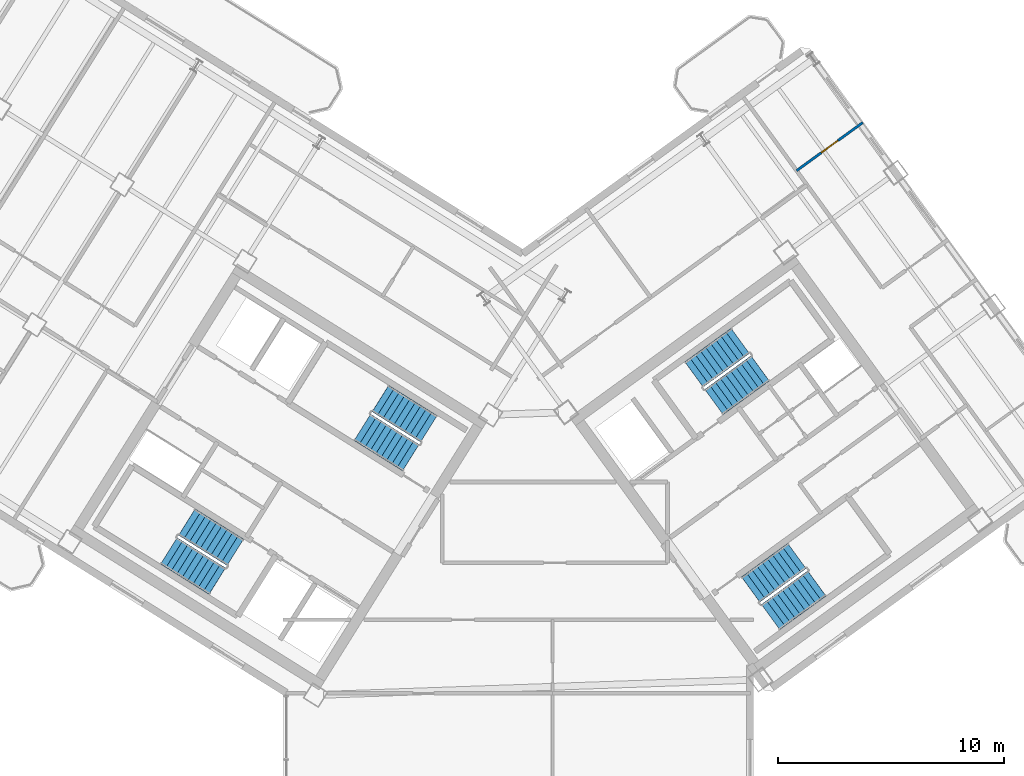
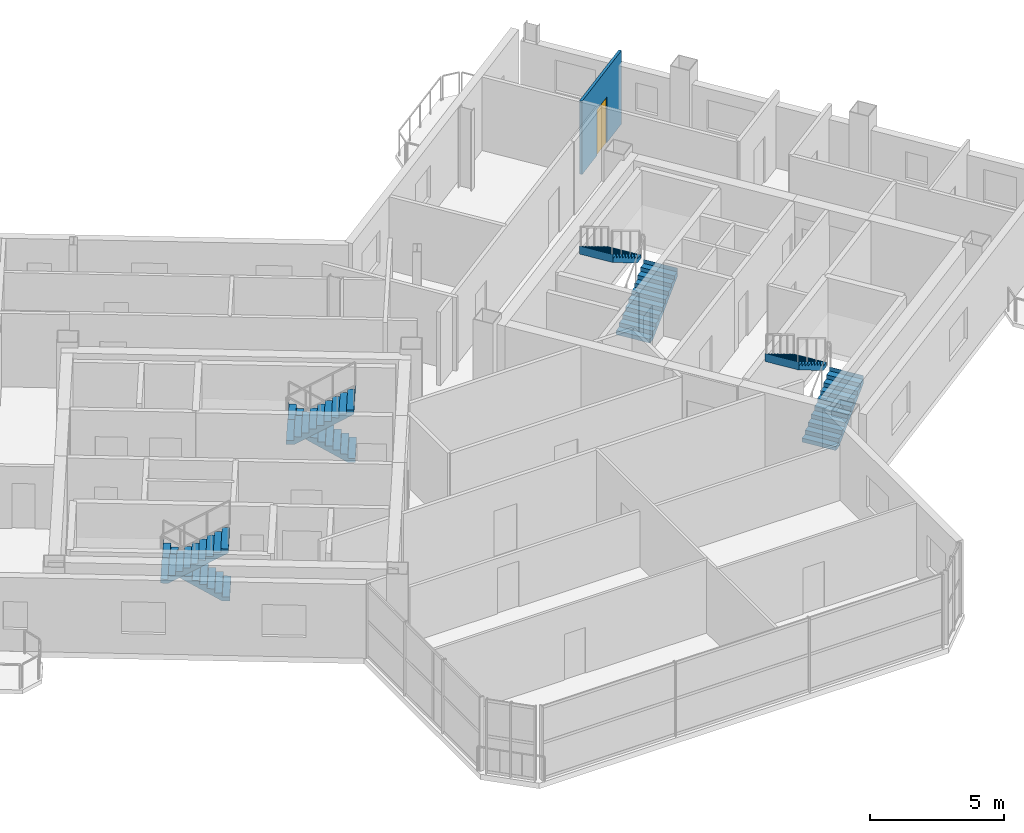
# One storey, part 16 of 20: 8 stair flights, 1 door, 1 wall, 1 opening, 4 elements without a shape of their own.
"""IFC4 building model written with IfcOpenShell, lengths in metres."""

from ifc_helpers import new_model, si_unit, direction, frame, frame_2d, origin, place, context, subcontext, project, spatial, polyline, rectangle, outline, extrude, source, transform, mapped, material, layer, layer_set, type_object, element, fill, aggregate, save


model = new_model("IFC4")

# Units and contexts
model_context = context("Model", 3, precision=1e-05, world=origin(), true_north=direction((0.0, 1.0)))
body_context = subcontext(model_context, "Body", "Model", "MODEL_VIEW")
ifc_project = project(units=[si_unit("LENGTHUNIT", "METRE"), si_unit("AREAUNIT", "SQUARE_METRE"), si_unit("VOLUMEUNIT", "CUBIC_METRE"), si_unit("PLANEANGLEUNIT", "RADIAN"), si_unit("MASSUNIT", "GRAM", prefix="KILO")], contexts=[model_context])

# Site, building, storey
site_placement = place(None, origin())
site = spatial("IfcSite", under=ifc_project, at=site_placement, CompositionType="ELEMENT")
building_placement = place(site_placement, origin())
building = spatial("IfcBuilding", under=site, at=building_placement, Name="Tlacorven Tower", CompositionType="ELEMENT")
storey_placement = place(building_placement, frame((0.0, 0.0, 211.199951171875)))
storey = spatial("IfcBuildingStorey", under=building, at=storey_placement, Name="L53", CompositionType="ELEMENT", Elevation=211.199951171875)

# Wall, opening, door
ifc_material_1 = material(Name="Gypsum plasterboard partition", Category="gypsum")
ifc_layer = layer(ifc_material_1, 0.110107421875)
ifc_layer_set = layer_set([ifc_layer], Name="Gypsum plasterboard partition")
wall_type = type_object("IfcWallType", Name="WL-INT-110", PredefinedType="PARTITIONING", material=ifc_layer_set)
wall_placement = place(storey_placement, frame((54.3037109375, 35.25927734375, 0.0), z_axis=(0.0, 0.0, 1.0), x_axis=(0.809005039917, 0.58780170584, 0.0)))
wall = element("IfcWall", 1, at=wall_placement, inside=storey, type_object=wall_type, Name="L53 partition 82", PredefinedType="PARTITIONING", context=body_context, shape_type="SweptSolid", body=[
    extrude(rectangle(XDim=3.610107421875, YDim=0.110107421875, at=frame_2d((1.80517578125, 0.0))), origin(), (0.0, 0.0, 1.0), 3.340087890625),
])
opening_placement = place(wall_placement, frame((1.344970703125, 0.0, 0.0)))
opening = element("IfcOpeningElement", 2, at=opening_placement, cuts=wall, Name="Opening D12", PredefinedType="OPENING", context=body_context, shape_type="SweptSolid", body=[
    extrude(rectangle(XDim=0.919921875, YDim=2.080078125, at=frame_2d((0.4599609375, 1.0400390625))), frame((0.0, 0.06494140625, 0.0), z_axis=(0.0, -1.0, 0.0), x_axis=(1.0, 0.0, 0.0)), (0.0, 0.0, 1.0), 0.130126953125),
])
ifc_material_2 = material(Name="Powder-coated aluminium and timber door", Category="wood")
door_type = type_object("IfcDoorType", Name="DR-INT-ROOM-0920", OperationType="NOTDEFINED", PredefinedType="DOOR", material=ifc_material_2)
shared_shape_1 = source(origin(), body_context, "Body", "SweptSolid", [
    extrude(rectangle(XDim=0.919921875, YDim=2.080078125, at=frame_2d((0.4599609375, 1.0400390625))), frame((0.0, 0.02490234375, 0.0), z_axis=(0.0, -1.0, 0.0), x_axis=(1.0, 0.0, 0.0)), (0.0, 0.0, 1.0), 0.050048828125),
])
door_placement = place(opening_placement, origin())
door = element("IfcDoor", 3, at=door_placement, inside=storey, type_object=door_type, Name="L53 door 053", OperationType="SINGLE_SWING_LEFT", OverallHeight=2.080078125, OverallWidth=0.919921875, PredefinedType="DOOR", context=body_context, shape_type="MappedRepresentation", body=[
    mapped(shared_shape_1, transform((0.0, 0.0, 0.0), scale=1.0)),
])
fill(opening, door)

# Stair, stair flights
ifc_material_3 = material(Name="Concrete C40/50", Category="concrete")
stair_type = type_object("IfcStairType", Name="ST-CORE-DLG", PredefinedType="HALF_TURN_STAIR", material=ifc_material_3)
stair_1_placement = place(storey_placement, origin())
stair_1 = element("IfcStair", 4, at=stair_1_placement, inside=storey, type_object=stair_type, Name="L53 Protected Exit Stair West 1", PredefinedType="HALF_TURN_STAIR")
stair_flight_type = type_object("IfcStairFlightType", Name="SFL-RC-1380", PredefinedType="STRAIGHT", material=ifc_material_3)
shared_shape_2 = source(origin(), body_context, "Body", "SweptSolid", [
    extrude(outline(polyline([(-0.0029296875, -0.0029296875), (-0.0029296875, 0.179931640625), (0.280029296875, 0.179931640625), (0.280029296875, 0.360107421875), (0.56005859375, 0.360107421875), (0.56005859375, 0.5400390625), (0.840087890625, 0.5400390625), (0.840087890625, 0.719970703125), (1.1201171875, 0.719970703125), (1.1201171875, 0.89990234375), (1.39990234375, 0.89990234375), (1.39990234375, 1.080078125), (1.679931640625, 1.080078125), (1.679931640625, 1.260009765625), (1.9599609375, 1.260009765625), (1.9599609375, 1.43994140625), (2.239990234375, 1.43994140625), (2.239990234375, 1.6201171875), (2.52001953125, 1.6201171875), (2.52001953125, 1.800048828125), (2.52294921875, 1.800048828125), (2.52294921875, 1.429931640625), (2.52001953125, 1.429931640625), (0.295654296875, 0.0), (0.295654296875, -0.0029296875), (-0.0029296875, -0.0029296875)])), frame((0.0, 0.68994140625, 0.0), z_axis=(0.0, -1.0, 0.0), x_axis=(1.0, 0.0, 0.0)), (0.0, 0.0, 1.0), 1.3798828125),
])
stair_flight_1_placement = place(storey_placement, frame((29.499755859375, 18.39453125, 0.0), z_axis=(0.0, 0.0, 1.0), x_axis=(-0.848048096156, 0.529919264233, 0.0)))
stair_flight_1 = element("IfcStairFlight", 5, at=stair_flight_1_placement, type_object=stair_flight_type, Name="ST-W1 flight 1", NumberOfRisers=10, NumberOfTreads=9, PredefinedType="STRAIGHT", RiserHeight=0.18, TreadLength=0.28, context=body_context, shape_type="MappedRepresentation", body=[
    mapped(shared_shape_2, transform((0.0, 0.0, 0.0), scale=1.0)),
])
stair_flight_2_placement = place(storey_placement, frame((26.56787109375, 18.4580078125, 1.800048828125), z_axis=(0.0, 0.0, 1.0), x_axis=(0.848048096156, -0.529919264233, 0.0)))
stair_flight_2 = element("IfcStairFlight", 6, at=stair_flight_2_placement, type_object=stair_flight_type, Name="ST-W1 flight 2", NumberOfRisers=10, NumberOfTreads=9, PredefinedType="STRAIGHT", RiserHeight=0.18, TreadLength=0.28, context=body_context, shape_type="MappedRepresentation", body=[
    mapped(shared_shape_2, transform((0.0, 0.0, 0.0), scale=1.0)),
])
aggregate(stair_1, [stair_flight_1, stair_flight_2])

stair_2_placement = place(storey_placement, origin())
stair_2 = element("IfcStair", 7, at=stair_2_placement, inside=storey, type_object=stair_type, Name="L53 Protected Exit Stair West 2", PredefinedType="HALF_TURN_STAIR")
stair_flight_3_placement = place(storey_placement, frame((38.051513671875, 23.852294921875, 0.0), z_axis=(0.0, 0.0, 1.0), x_axis=(-0.848048096156, 0.529919264233, 0.0)))
stair_flight_3 = element("IfcStairFlight", 8, at=stair_flight_3_placement, type_object=stair_flight_type, Name="ST-W2 flight 1", NumberOfRisers=10, NumberOfTreads=9, PredefinedType="STRAIGHT", RiserHeight=0.18, TreadLength=0.28, context=body_context, shape_type="MappedRepresentation", body=[
    mapped(shared_shape_2, transform((0.0, 0.0, 0.0), scale=1.0)),
])
stair_flight_4_placement = place(storey_placement, frame((35.119384765625, 23.91552734375, 1.800048828125), z_axis=(0.0, 0.0, 1.0), x_axis=(0.848048096156, -0.529919264233, 0.0)))
stair_flight_4 = element("IfcStairFlight", 9, at=stair_flight_4_placement, type_object=stair_flight_type, Name="ST-W2 flight 2", NumberOfRisers=10, NumberOfTreads=9, PredefinedType="STRAIGHT", RiserHeight=0.18, TreadLength=0.28, context=body_context, shape_type="MappedRepresentation", body=[
    mapped(shared_shape_2, transform((0.0, 0.0, 0.0), scale=1.0)),
])
aggregate(stair_2, [stair_flight_3, stair_flight_4])

stair_3_placement = place(storey_placement, origin())
stair_3 = element("IfcStair", 10, at=stair_3_placement, inside=storey, type_object=stair_type, Name="L53 Protected Exit Stair East 1", PredefinedType="HALF_TURN_STAIR")
stair_flight_5_placement = place(storey_placement, frame((50.6533203125, 25.0400390625, 0.0), z_axis=(0.0, 0.0, 1.0), x_axis=(0.809016994375, 0.587785252292, 0.0)))
stair_flight_5 = element("IfcStairFlight", 11, at=stair_flight_5_placement, type_object=stair_flight_type, Name="ST-E1 flight 1", NumberOfRisers=10, NumberOfTreads=9, PredefinedType="STRAIGHT", RiserHeight=0.18, TreadLength=0.28, context=body_context, shape_type="MappedRepresentation", body=[
    mapped(shared_shape_2, transform((0.0, 0.0, 0.0), scale=1.0)),
])
stair_flight_6_placement = place(storey_placement, frame((51.810546875, 27.734619140625, 1.800048828125), z_axis=(0.0, 0.0, 1.0), x_axis=(-0.809016994375, -0.587785252292, 0.0)))
stair_flight_6 = element("IfcStairFlight", 12, at=stair_flight_6_placement, type_object=stair_flight_type, Name="ST-E1 flight 2", NumberOfRisers=10, NumberOfTreads=9, PredefinedType="STRAIGHT", RiserHeight=0.18, TreadLength=0.28, context=body_context, shape_type="MappedRepresentation", body=[
    mapped(shared_shape_2, transform((0.0, 0.0, 0.0), scale=1.0)),
])
aggregate(stair_3, [stair_flight_5, stair_flight_6])

stair_4_placement = place(storey_placement, origin())
stair_4 = element("IfcStair", 13, at=stair_4_placement, inside=storey, type_object=stair_type, Name="L53 Protected Exit Stair East 2", PredefinedType="HALF_TURN_STAIR")
stair_flight_7_placement = place(storey_placement, frame((53.157470703125, 15.536865234375, 0.0), z_axis=(0.0, 0.0, 1.0), x_axis=(0.809016994375, 0.587785252292, 0.0)))
stair_flight_7 = element("IfcStairFlight", 14, at=stair_flight_7_placement, type_object=stair_flight_type, Name="ST-E2 flight 1", NumberOfRisers=10, NumberOfTreads=9, PredefinedType="STRAIGHT", RiserHeight=0.18, TreadLength=0.28, context=body_context, shape_type="MappedRepresentation", body=[
    mapped(shared_shape_2, transform((0.0, 0.0, 0.0), scale=1.0)),
])
stair_flight_8_placement = place(storey_placement, frame((54.314453125, 18.231689453125, 1.800048828125), z_axis=(0.0, 0.0, 1.0), x_axis=(-0.809016994375, -0.587785252292, 0.0)))
stair_flight_8 = element("IfcStairFlight", 15, at=stair_flight_8_placement, type_object=stair_flight_type, Name="ST-E2 flight 2", NumberOfRisers=10, NumberOfTreads=9, PredefinedType="STRAIGHT", RiserHeight=0.18, TreadLength=0.28, context=body_context, shape_type="MappedRepresentation", body=[
    mapped(shared_shape_2, transform((0.0, 0.0, 0.0), scale=1.0)),
])
aggregate(stair_4, [stair_flight_7, stair_flight_8])

save(model, "model.ifc")
